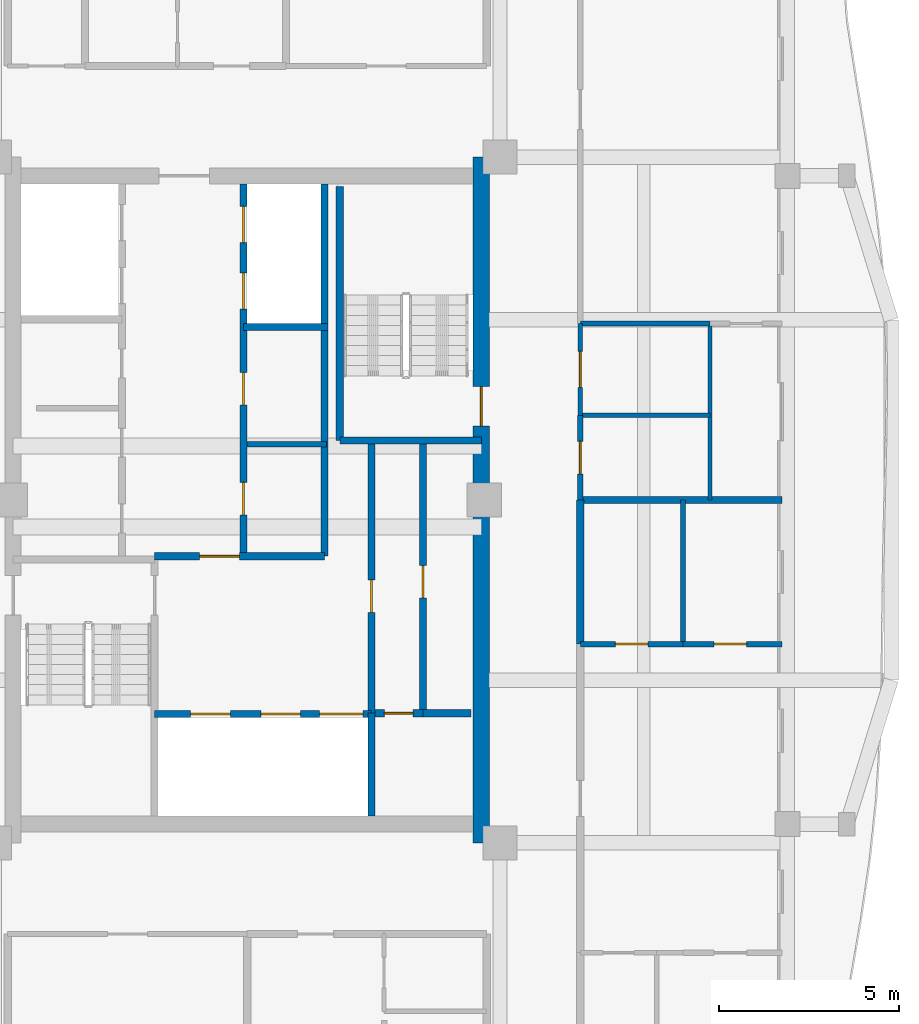
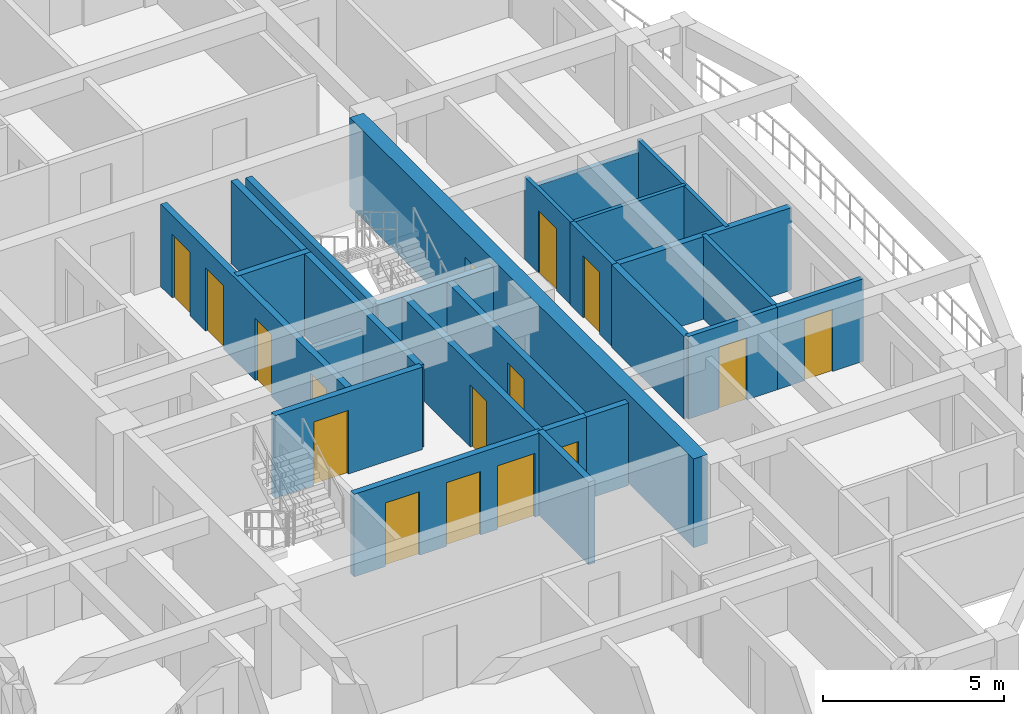
# One storey, part 4 of 12: 25 walls, 16 doors, 16 openings.
"""IFC4 building model written with IfcOpenShell, lengths in metres."""

from ifc_helpers import new_model, si_unit, direction, frame, frame_2d, origin, place, context, subcontext, project, spatial, rectangle, extrude, source, transform, mapped, material, layer, layer_set, type_object, element, fill, save


model = new_model("IFC4")

# Units and contexts
model_context = context("Model", 3, precision=1e-05, world=origin(), true_north=direction((0.0, 1.0)))
body_context = subcontext(model_context, "Body", "Model", "MODEL_VIEW")
ifc_project = project(units=[si_unit("LENGTHUNIT", "METRE"), si_unit("AREAUNIT", "SQUARE_METRE"), si_unit("VOLUMEUNIT", "CUBIC_METRE"), si_unit("PLANEANGLEUNIT", "RADIAN"), si_unit("MASSUNIT", "GRAM", prefix="KILO")], contexts=[model_context])

# Site, building, storey
site_placement = place(None, origin())
site = spatial("IfcSite", under=ifc_project, at=site_placement, CompositionType="ELEMENT")
building_placement = place(site_placement, origin())
building = spatial("IfcBuilding", under=site, at=building_placement, Name="Saelheon Loggia Tower", CompositionType="ELEMENT")
storey_placement = place(building_placement, frame((0.0, 0.0, 243.0)))
storey = spatial("IfcBuildingStorey", under=building, at=storey_placement, Name="L75", CompositionType="ELEMENT", Elevation=243.0)

# Wall, opening, door
ifc_material_1 = material(Name="Concrete C45/55", Category="concrete")
ifc_layer_1 = layer(ifc_material_1, 0.449951171875)
ifc_layer_set_1 = layer_set([ifc_layer_1], Name="Concrete C45/55")
wall_type_1 = type_object("IfcWallType", Name="Wall_CoreShear_450", PredefinedType="SHEAR", material=ifc_layer_set_1)
wall_1_placement = place(storey_placement, frame((44.5, 17.47998046875, 0.0), z_axis=(0.0, 0.0, 1.0), x_axis=(0.0, 1.0, 0.0)))
wall_1 = element("IfcWall", 1, at=wall_1_placement, inside=storey, type_object=wall_type_1, Name="L75 Core Shear Wall East", PredefinedType="SHEAR", context=body_context, shape_type="SweptSolid", body=[
    extrude(rectangle(XDim=19.0400390625, YDim=0.449951171875, at=frame_2d((9.52001953125, 0.0))), origin(), (0.0, 0.0, 1.0), 3.0),
])
opening_1_placement = place(wall_1_placement, frame((12.670166015625, 0.0, 0.0), z_axis=(0.0, 0.0, 1.0), x_axis=(-1.0, 0.0, 0.0)))
opening_1 = element("IfcOpeningElement", 2, at=opening_1_placement, cuts=wall_1, Name="Opening D-FD2", PredefinedType="OPENING", context=body_context, shape_type="SweptSolid", body=[
    extrude(rectangle(XDim=1.10009765625, YDim=2.14990234375, at=frame_2d((0.550048828125, 1.074951171875))), frame((0.0, 0.237060546875, 0.0), z_axis=(0.0, -1.0, 0.0), x_axis=(1.0, 0.0, 0.0)), (0.0, 0.0, 1.0), 0.473876953125),
])
ifc_material_2 = material(Name="Galvanised Steel Fire Door", Category="steel")
door_type_1 = type_object("IfcDoorType", Name="Door_Fire_FD60_1100", OperationType="NOTDEFINED", PredefinedType="DOOR", material=ifc_material_2)
shared_shape_1 = source(origin(), body_context, "Body", "SweptSolid", [
    extrude(rectangle(XDim=1.10009765625, YDim=2.14990234375, at=frame_2d((0.550048828125, 1.074951171875))), frame((0.0, 0.02490234375, 0.0), z_axis=(0.0, -1.0, 0.0), x_axis=(1.0, 0.0, 0.0)), (0.0, 0.0, 1.0), 0.050048828125),
])
door_1_placement = place(opening_1_placement, origin())
door_1 = element("IfcDoor", 3, at=door_1_placement, inside=storey, type_object=door_type_1, Name="L75 Stair ST2 Corridor Door", OperationType="SINGLE_SWING_RIGHT", OverallHeight=2.14990234375, OverallWidth=1.10009765625, PredefinedType="DOOR", context=body_context, shape_type="MappedRepresentation", body=[
    mapped(shared_shape_1, transform((0.0, 0.0, 0.0), scale=1.0)),
])
fill(opening_1, door_1)

# Walls
ifc_material_3 = material(Name="Lightweight Autoclaved Aerated Concrete Block and Acoustic Gypsum", Category="concrete")
ifc_layer_2 = layer(ifc_material_3, 0.14990234375)
ifc_layer_set_2 = layer_set([ifc_layer_2], Name="Lightweight Autoclaved Aerated Concrete Block and Acoustic Gypsum")
wall_type_2 = type_object("IfcWallType", Name="Wall_Part_150", PredefinedType="PARTITIONING", material=ifc_layer_set_2)
wall_2_placement = place(storey_placement, frame((38.0, 28.550048828125, 0.0), z_axis=(0.0, 0.0, 1.0), x_axis=(1.0, 0.0, 0.0)))
element("IfcWall", 4, at=wall_2_placement, inside=storey, type_object=wall_type_2, Name="L75 Freed Core Partition PM", PredefinedType="PARTITIONING", context=body_context, shape_type="SweptSolid", body=[
    extrude(rectangle(XDim=2.199951171875, YDim=0.14990234375, at=frame_2d((1.10009765625, 0.0))), origin(), (0.0, 0.0, 1.0), 2.139892578125),
])
wall_3_placement = place(storey_placement, frame((50.10009765625, 23.0, 0.0), z_axis=(0.0, 0.0, 1.0), x_axis=(0.0, 1.0, 0.0)))
element("IfcWall", 5, at=wall_3_placement, inside=storey, type_object=wall_type_2, Name="L75 E Partition V07", PredefinedType="PARTITIONING", context=body_context, shape_type="SweptSolid", body=[
    extrude(rectangle(XDim=4.0, YDim=0.14990234375, at=frame_2d((2.0, 0.0))), origin(), (0.0, 0.0, 1.0), 2.7900390625),
])

# Wall, opening, door
wall_4_placement = place(storey_placement, frame((47.25, 23.0, 0.0), z_axis=(0.0, 0.0, 1.0), x_axis=(1.0, 0.0, 0.0)))
wall_4 = element("IfcWall", 6, at=wall_4_placement, inside=storey, type_object=wall_type_2, Name="L75 E Partition U11", PredefinedType="PARTITIONING", context=body_context, shape_type="SweptSolid", body=[
    extrude(rectangle(XDim=2.85009765625, YDim=0.14990234375, at=frame_2d((1.425048828125, 0.0))), origin(), (0.0, 0.0, 1.0), 2.7900390625),
])
opening_2_placement = place(wall_4_placement, frame((0.97509765625, 0.0, 0.0)))
opening_2 = element("IfcOpeningElement", 7, at=opening_2_placement, cuts=wall_4, Name="Opening D-IN2", PredefinedType="OPENING", context=body_context, shape_type="SweptSolid", body=[
    extrude(rectangle(XDim=0.89990234375, YDim=2.10009765625, at=frame_2d((0.449951171875, 1.050048828125))), frame((0.0, 0.0869140625, 0.0), z_axis=(0.0, -1.0, 0.0), x_axis=(1.0, 0.0, 0.0)), (0.0, 0.0, 1.0), 0.173828125),
])
ifc_material_4 = material(Name="Engineered Oak Flush Door", Category="timber")
door_type_2 = type_object("IfcDoorType", Name="Door_Int_900", OperationType="NOTDEFINED", PredefinedType="DOOR", material=ifc_material_4)
shared_shape_2 = source(origin(), body_context, "Body", "SweptSolid", [
    extrude(rectangle(XDim=0.89990234375, YDim=2.10009765625, at=frame_2d((0.449951171875, 1.050048828125))), frame((0.0, 0.02490234375, 0.0), z_axis=(0.0, -1.0, 0.0), x_axis=(1.0, 0.0, 0.0)), (0.0, 0.0, 1.0), 0.050048828125),
])
door_2_placement = place(opening_2_placement, origin())
door_2 = element("IfcDoor", 8, at=door_2_placement, inside=storey, type_object=door_type_2, Name="Unit U05 Private Study Door", OperationType="SINGLE_SWING_LEFT", OverallHeight=2.10009765625, OverallWidth=0.89990234375, PredefinedType="DOOR", context=body_context, shape_type="MappedRepresentation", body=[
    mapped(shared_shape_2, transform((0.0, 0.0, 0.0), scale=1.0)),
])
fill(opening_2, door_2)

wall_5_placement = place(storey_placement, frame((50.10009765625, 23.0, 0.0), z_axis=(0.0, 0.0, 1.0), x_axis=(1.0, 0.0, 0.0)))
wall_5 = element("IfcWall", 9, at=wall_5_placement, inside=storey, type_object=wall_type_2, Name="L75 E Partition U12", PredefinedType="PARTITIONING", context=body_context, shape_type="SweptSolid", body=[
    extrude(rectangle(XDim=2.75, YDim=0.14990234375, at=frame_2d((1.375, 0.0))), origin(), (0.0, 0.0, 1.0), 2.7900390625),
])
opening_3_placement = place(wall_5_placement, frame((0.867919921875, 0.0, 0.0)))
opening_3 = element("IfcOpeningElement", 10, at=opening_3_placement, cuts=wall_5, Name="Opening D-IN2", PredefinedType="OPENING", context=body_context, shape_type="SweptSolid", body=[
    extrude(rectangle(XDim=0.89990234375, YDim=2.10009765625, at=frame_2d((0.449951171875, 1.050048828125))), frame((0.0, 0.0869140625, 0.0), z_axis=(0.0, -1.0, 0.0), x_axis=(1.0, 0.0, 0.0)), (0.0, 0.0, 1.0), 0.173828125),
])
door_3_placement = place(opening_3_placement, origin())
door_3 = element("IfcDoor", 11, at=door_3_placement, inside=storey, type_object=door_type_2, Name="Unit U05 Bedroom 1 Door", OperationType="SINGLE_SWING_RIGHT", OverallHeight=2.10009765625, OverallWidth=0.89990234375, PredefinedType="DOOR", context=body_context, shape_type="MappedRepresentation", body=[
    mapped(shared_shape_2, transform((0.0, 0.0, 0.0), scale=1.0)),
])
fill(opening_3, door_3)

# Wall
wall_6_placement = place(storey_placement, frame((47.25, 31.89990234375, 0.0), z_axis=(0.0, 0.0, 1.0), x_axis=(1.0, 0.0, 0.0)))
element("IfcWall", 12, at=wall_6_placement, inside=storey, type_object=wall_type_2, Name="L75 E Partition U15", PredefinedType="PARTITIONING", context=body_context, shape_type="SweptSolid", body=[
    extrude(rectangle(XDim=3.60009765625, YDim=0.14990234375, at=frame_2d((1.800048828125, 0.0))), origin(), (0.0, 0.0, 1.0), 2.389892578125),
])

# Wall, opening, door
wall_7_placement = place(storey_placement, frame((47.25, 27.0, 0.0), z_axis=(0.0, 0.0, 1.0), x_axis=(0.0, 1.0, 0.0)))
wall_7 = element("IfcWall", 13, at=wall_7_placement, inside=storey, type_object=wall_type_2, Name="L75 E Partition V18", PredefinedType="PARTITIONING", context=body_context, shape_type="SweptSolid", body=[
    extrude(rectangle(XDim=2.35009765625, YDim=0.14990234375, at=frame_2d((1.175048828125, 0.0))), origin(), (0.0, 0.0, 1.0), 2.7900390625),
])
opening_4_placement = place(wall_7_placement, frame((0.72509765625, 0.0, 0.0)))
opening_4 = element("IfcOpeningElement", 14, at=opening_4_placement, cuts=wall_7, Name="Opening D-IN2", PredefinedType="OPENING", context=body_context, shape_type="SweptSolid", body=[
    extrude(rectangle(XDim=0.89990234375, YDim=2.10009765625, at=frame_2d((0.449951171875, 1.050048828125))), frame((0.0, 0.0869140625, 0.0), z_axis=(0.0, -1.0, 0.0), x_axis=(1.0, 0.0, 0.0)), (0.0, 0.0, 1.0), 0.173828125),
])
door_4_placement = place(opening_4_placement, origin())
door_4 = element("IfcDoor", 15, at=door_4_placement, inside=storey, type_object=door_type_2, Name="L75 Community Pantry Door", OperationType="SINGLE_SWING_RIGHT", OverallHeight=2.10009765625, OverallWidth=0.89990234375, PredefinedType="DOOR", context=body_context, shape_type="MappedRepresentation", body=[
    mapped(shared_shape_2, transform((0.0, 0.0, 0.0), scale=1.0)),
])
fill(opening_4, door_4)

# Walls
ifc_material_5 = material(Name="Double Acoustic Stud and Fireboard Partition", Category="gypsum")
ifc_layer_3 = layer(ifc_material_5, 0.199951171875)
ifc_layer_set_3 = layer_set([ifc_layer_3], Name="Double Acoustic Stud and Fireboard Partition")
wall_type_3 = type_object("IfcWallType", Name="Wall_Party_200", PredefinedType="PARTITIONING", material=ifc_layer_set_3)
wall_8_placement = place(storey_placement, frame((47.25, 23.0, 0.0), z_axis=(0.0, 0.0, 1.0), x_axis=(0.0, 1.0, 0.0)))
element("IfcWall", 16, at=wall_8_placement, inside=storey, type_object=wall_type_3, Name="L75 E Partition V05", PredefinedType="PARTITIONING", context=body_context, shape_type="SweptSolid", body=[
    extrude(rectangle(XDim=4.0, YDim=0.199951171875, at=frame_2d((2.0, 0.0))), origin(), (0.0, 0.0, 1.0), 2.7900390625),
])
wall_9_placement = place(storey_placement, frame((47.25, 27.0, 0.0), z_axis=(0.0, 0.0, 1.0), x_axis=(1.0, 0.0, 0.0)))
element("IfcWall", 17, at=wall_9_placement, inside=storey, type_object=wall_type_3, Name="L75 E Partition U13", PredefinedType="PARTITIONING", context=body_context, shape_type="SweptSolid", body=[
    extrude(rectangle(XDim=5.60009765625, YDim=0.199951171875, at=frame_2d((2.800048828125, 0.0))), origin(), (0.0, 0.0, 1.0), 2.7900390625),
])

# Wall, opening, door
ifc_material_6 = material(Name="Concrete C40/50", Category="concrete")
ifc_layer_4 = layer(ifc_material_6, 0.199951171875)
ifc_layer_set_4 = layer_set([ifc_layer_4], Name="Concrete C40/50")
wall_type_4 = type_object("IfcWallType", Name="Wall_Shaft_200", PredefinedType="PARTITIONING", material=ifc_layer_set_4)
wall_10_placement = place(storey_placement, frame((41.550048828125, 21.080078125, 0.0), z_axis=(0.0, 0.0, 1.0), x_axis=(1.0, 0.0, 0.0)))
wall_10 = element("IfcWall", 18, at=wall_10_placement, inside=storey, type_object=wall_type_4, Name="CW-BOH-L75-HS", PredefinedType="PARTITIONING", context=body_context, shape_type="SweptSolid", body=[
    extrude(rectangle(XDim=1.329833984375, YDim=0.199951171875, at=frame_2d((0.6650390625, 0.0))), origin(), (0.0, 0.0, 1.0), 2.7900390625),
])
opening_5_placement = place(wall_10_placement, frame((0.260009765625, 0.0, 0.0)))
opening_5 = element("IfcOpeningElement", 19, at=opening_5_placement, cuts=wall_10, Name="Opening D-ST1", PredefinedType="OPENING", context=body_context, shape_type="SweptSolid", body=[
    extrude(rectangle(XDim=0.800048828125, YDim=2.050048828125, at=frame_2d((0.39990234375, 1.02490234375))), frame((0.0, 0.112060546875, 0.0), z_axis=(0.0, -1.0, 0.0), x_axis=(1.0, 0.0, 0.0)), (0.0, 0.0, 1.0), 0.223876953125),
])
ifc_material_7 = material(Name="Powder-Coated Steel Store Door", Category="steel")
door_type_3 = type_object("IfcDoorType", Name="Door_Store_800", OperationType="NOTDEFINED", PredefinedType="DOOR", material=ifc_material_7)
shared_shape_3 = source(origin(), body_context, "Body", "SweptSolid", [
    extrude(rectangle(XDim=0.800048828125, YDim=2.050048828125, at=frame_2d((0.39990234375, 1.02490234375))), frame((0.0, 0.02490234375, 0.0), z_axis=(0.0, -1.0, 0.0), x_axis=(1.0, 0.0, 0.0)), (0.0, 0.0, 1.0), 0.050048828125),
])
door_5_placement = place(opening_5_placement, origin())
door_5 = element("IfcDoor", 20, at=door_5_placement, inside=storey, type_object=door_type_3, Name="L75 Electrical Riser Door", OperationType="SINGLE_SWING_LEFT", OverallHeight=2.050048828125, OverallWidth=0.800048828125, PredefinedType="DOOR", context=body_context, shape_type="MappedRepresentation", body=[
    mapped(shared_shape_3, transform((0.0, 0.0, 0.0), scale=1.0)),
])
fill(opening_5, door_5)

# Wall
wall_11_placement = place(storey_placement, frame((42.8798828125, 21.080078125, 0.0), z_axis=(0.0, 0.0, 1.0), x_axis=(1.0, 0.0, 0.0)))
element("IfcWall", 21, at=wall_11_placement, inside=storey, type_object=wall_type_4, Name="CW-BOH-L75-HS2", PredefinedType="PARTITIONING", context=body_context, shape_type="SweptSolid", body=[
    extrude(rectangle(XDim=1.340087890625, YDim=0.199951171875, at=frame_2d((0.669921875, 0.0))), origin(), (0.0, 0.0, 1.0), 2.7900390625),
])

# Wall, opening, door
wall_12_placement = place(storey_placement, frame((42.8798828125, 21.080078125, 0.0), z_axis=(0.0, 0.0, 1.0), x_axis=(0.0, 1.0, 0.0)))
wall_12 = element("IfcWall", 22, at=wall_12_placement, inside=storey, type_object=wall_type_4, Name="CW-BOH-L75-VS", PredefinedType="PARTITIONING", context=body_context, shape_type="SweptSolid", body=[
    extrude(rectangle(XDim=7.469970703125, YDim=0.199951171875, at=frame_2d((3.73486328125, 0.0))), origin(), (0.0, 0.0, 1.0), 2.7900390625),
])
opening_6_placement = place(wall_12_placement, frame((3.199951171875, 0.0, 0.0)))
opening_6 = element("IfcOpeningElement", 23, at=opening_6_placement, cuts=wall_12, Name="Opening D-RS1", PredefinedType="OPENING", context=body_context, shape_type="SweptSolid", body=[
    extrude(rectangle(XDim=0.89990234375, YDim=2.10009765625, at=frame_2d((0.449951171875, 1.050048828125))), frame((0.0, 0.112060546875, 0.0), z_axis=(0.0, -1.0, 0.0), x_axis=(1.0, 0.0, 0.0)), (0.0, 0.0, 1.0), 0.223876953125),
])
ifc_material_8 = material(Name="Galvanised Steel Riser Access Door", Category="steel")
door_type_4 = type_object("IfcDoorType", Name="Door_Riser_FD60", OperationType="NOTDEFINED", PredefinedType="DOOR", material=ifc_material_8)
door_6_placement = place(opening_6_placement, origin())
door_6 = element("IfcDoor", 24, at=door_6_placement, inside=storey, type_object=door_type_4, Name="L75 Linen Store Door", OperationType="SINGLE_SWING_RIGHT", OverallHeight=2.10009765625, OverallWidth=0.89990234375, PredefinedType="DOOR", context=body_context, shape_type="MappedRepresentation", body=[
    mapped(shared_shape_2, transform((0.0, 0.0, 0.0), scale=1.0)),
])
fill(opening_6, door_6)

# Wall
wall_13_placement = place(storey_placement, frame((41.449951171875, 18.219970703125, 0.0), z_axis=(0.0, 0.0, 1.0), x_axis=(0.0, 1.0, 0.0)))
element("IfcWall", 25, at=wall_13_placement, inside=storey, type_object=wall_type_4, Name="CW-INT-L75-BOH-W0", PredefinedType="PARTITIONING", context=body_context, shape_type="SweptSolid", body=[
    extrude(rectangle(XDim=2.860107421875, YDim=0.199951171875, at=frame_2d((1.43017578125, 0.0))), origin(), (0.0, 0.0, 1.0), 2.7900390625),
])

# Wall, opening, door
wall_14_placement = place(storey_placement, frame((41.449951171875, 21.080078125, 0.0), z_axis=(0.0, 0.0, 1.0), x_axis=(0.0, 1.0, 0.0)))
wall_14 = element("IfcWall", 26, at=wall_14_placement, inside=storey, type_object=wall_type_4, Name="CW-INT-L75-BOH-W1", PredefinedType="PARTITIONING", context=body_context, shape_type="SweptSolid", body=[
    extrude(rectangle(XDim=7.52001953125, YDim=0.199951171875, at=frame_2d((3.760009765625, 0.0))), origin(), (0.0, 0.0, 1.0), 2.7900390625),
])
opening_7_placement = place(wall_14_placement, frame((2.800048828125, 0.0, 0.0)))
opening_7 = element("IfcOpeningElement", 27, at=opening_7_placement, cuts=wall_14, Name="Opening D-RS1", PredefinedType="OPENING", context=body_context, shape_type="SweptSolid", body=[
    extrude(rectangle(XDim=0.89990234375, YDim=2.10009765625, at=frame_2d((0.449951171875, 1.050048828125))), frame((0.0, 0.112060546875, 0.0), z_axis=(0.0, -1.0, 0.0), x_axis=(1.0, 0.0, 0.0)), (0.0, 0.0, 1.0), 0.223876953125),
])
door_7_placement = place(opening_7_placement, origin())
door_7 = element("IfcDoor", 28, at=door_7_placement, inside=storey, type_object=door_type_4, Name="L75 Service Store Door", OperationType="SINGLE_SWING_LEFT", OverallHeight=2.10009765625, OverallWidth=0.89990234375, PredefinedType="DOOR", context=body_context, shape_type="MappedRepresentation", body=[
    mapped(shared_shape_2, transform((0.0, 0.0, 0.0), scale=1.0)),
])
fill(opening_7, door_7)

# Walls
wall_15_placement = place(storey_placement, frame((40.14990234375, 25.43994140625, 0.0), z_axis=(0.0, 0.0, 1.0), x_axis=(0.0, 1.0, 0.0)))
element("IfcWall", 29, at=wall_15_placement, inside=storey, type_object=wall_type_4, Name="L75 Core Service Passage West Wall", PredefinedType="PARTITIONING", context=body_context, shape_type="SweptSolid", body=[
    extrude(rectangle(XDim=6.360107421875, YDim=0.199951171875, at=frame_2d((3.18017578125, 0.0))), origin(), (0.0, 0.0, 1.0), 2.7900390625),
])
wall_16_placement = place(storey_placement, frame((40.14990234375, 31.800048828125, 0.0), z_axis=(0.0, 0.0, 1.0), x_axis=(0.0, 1.0, 0.0)))
element("IfcWall", 30, at=wall_16_placement, inside=storey, type_object=wall_type_4, Name="L75 East High-Rise Hoistway East Wall", PredefinedType="PARTITIONING", context=body_context, shape_type="SweptSolid", body=[
    extrude(rectangle(XDim=3.97998046875, YDim=0.199951171875, at=frame_2d((1.989990234375, 0.0))), origin(), (0.0, 0.0, 1.0), 2.7900390625),
])

# Wall, openings, doors
wall_17_placement = place(storey_placement, frame((35.429931640625, 21.06005859375, 0.0), z_axis=(0.0, 0.0, 1.0), x_axis=(1.0, 0.0, 0.0)))
wall_17 = element("IfcWall", 31, at=wall_17_placement, inside=storey, type_object=wall_type_4, Name="L75 Firefighting Lift Shaft Front Wall", PredefinedType="PARTITIONING", context=body_context, shape_type="SweptSolid", body=[
    extrude(rectangle(XDim=6.02001953125, YDim=0.199951171875, at=frame_2d((3.010009765625, 0.0))), origin(), (0.0, 0.0, 1.0), 2.7900390625),
])
opening_8_placement = place(wall_17_placement, frame((1.0, 0.0, 0.0)))
opening_8 = element("IfcOpeningElement", 32, at=opening_8_placement, cuts=wall_17, Name="Opening LD2", PredefinedType="OPENING", context=body_context, shape_type="SweptSolid", body=[
    extrude(rectangle(XDim=1.10009765625, YDim=2.14990234375, at=frame_2d((0.550048828125, 1.074951171875))), frame((0.0, 0.112060546875, 0.0), z_axis=(0.0, -1.0, 0.0), x_axis=(1.0, 0.0, 0.0)), (0.0, 0.0, 1.0), 0.223876953125),
])
opening_9_placement = place(wall_17_placement, frame((2.949951171875, 0.0, 0.0)))
opening_9 = element("IfcOpeningElement", 33, at=opening_9_placement, cuts=wall_17, Name="Opening LD2", PredefinedType="OPENING", context=body_context, shape_type="SweptSolid", body=[
    extrude(rectangle(XDim=1.10009765625, YDim=2.14990234375, at=frame_2d((0.550048828125, 1.074951171875))), frame((0.0, 0.112060546875, 0.0), z_axis=(0.0, -1.0, 0.0), x_axis=(1.0, 0.0, 0.0)), (0.0, 0.0, 1.0), 0.223876953125),
])
opening_10_placement = place(wall_17_placement, frame((4.580078125, 0.0, 0.0)))
opening_10 = element("IfcOpeningElement", 34, at=opening_10_placement, cuts=wall_17, Name="Opening LD3", PredefinedType="OPENING", context=body_context, shape_type="SweptSolid", body=[
    extrude(rectangle(XDim=1.199951171875, YDim=2.14990234375, at=frame_2d((0.60009765625, 1.074951171875))), frame((0.0, 0.112060546875, 0.0), z_axis=(0.0, -1.0, 0.0), x_axis=(1.0, 0.0, 0.0)), (0.0, 0.0, 1.0), 0.223876953125),
])
ifc_material_9 = material(Name="Firefighting Stainless Steel 316 Landing Door", Category="steel")
door_type_5 = type_object("IfcDoorType", Name="Door_Lift_LD2", OperationType="DOUBLE_DOOR_SLIDING", PredefinedType="DOOR", material=ifc_material_9)
door_8_placement = place(opening_8_placement, origin())
door_8 = element("IfcDoor", 35, at=door_8_placement, inside=storey, type_object=door_type_5, Name="L75 FF1 Landing Door", OperationType="DOUBLE_DOOR_SLIDING", OverallHeight=2.14990234375, OverallWidth=1.10009765625, PredefinedType="DOOR", context=body_context, shape_type="MappedRepresentation", body=[
    mapped(shared_shape_1, transform((0.0, 0.0, 0.0), scale=1.0)),
])
fill(opening_8, door_8)
door_9_placement = place(opening_9_placement, origin())
door_9 = element("IfcDoor", 36, at=door_9_placement, inside=storey, type_object=door_type_5, Name="L75 FF2 Landing Door", OperationType="DOUBLE_DOOR_SLIDING", OverallHeight=2.14990234375, OverallWidth=1.10009765625, PredefinedType="DOOR", context=body_context, shape_type="MappedRepresentation", body=[
    mapped(shared_shape_1, transform((0.0, 0.0, 0.0), scale=1.0)),
])
fill(opening_9, door_9)
ifc_material_10 = material(Name="Stretcher Lift Stainless Steel 304 Landing Door", Category="steel")
door_type_6 = type_object("IfcDoorType", Name="Door_Lift_LD3", OperationType="DOUBLE_DOOR_SLIDING", PredefinedType="DOOR", material=ifc_material_10)
shared_shape_4 = source(origin(), body_context, "Body", "SweptSolid", [
    extrude(rectangle(XDim=1.199951171875, YDim=2.14990234375, at=frame_2d((0.60009765625, 1.074951171875))), frame((0.0, 0.02490234375, 0.0), z_axis=(0.0, -1.0, 0.0), x_axis=(1.0, 0.0, 0.0)), (0.0, 0.0, 1.0), 0.050048828125),
])
door_10_placement = place(opening_10_placement, origin())
door_10 = element("IfcDoor", 37, at=door_10_placement, inside=storey, type_object=door_type_6, Name="L75 SV1 Landing Door", OperationType="DOUBLE_DOOR_SLIDING", OverallHeight=2.14990234375, OverallWidth=1.199951171875, PredefinedType="DOOR", context=body_context, shape_type="MappedRepresentation", body=[
    mapped(shared_shape_4, transform((0.0, 0.0, 0.0), scale=1.0)),
])
fill(opening_10, door_10)

# Wall, opening, door
wall_18_placement = place(storey_placement, frame((35.429931640625, 25.43994140625, 0.0), z_axis=(0.0, 0.0, 1.0), x_axis=(1.0, 0.0, 0.0)))
wall_18 = element("IfcWall", 38, at=wall_18_placement, inside=storey, type_object=wall_type_4, Name="L75 Firefighting Lobby Compartment Wall", PredefinedType="PARTITIONING", context=body_context, shape_type="SweptSolid", body=[
    extrude(rectangle(XDim=4.719970703125, YDim=0.199951171875, at=frame_2d((2.35986328125, 0.0))), origin(), (0.0, 0.0, 1.0), 2.7900390625),
])
opening_11_placement = place(wall_18_placement, frame((1.25, 0.0, 0.0)))
opening_11 = element("IfcOpeningElement", 39, at=opening_11_placement, cuts=wall_18, Name="Opening D-FD2", PredefinedType="OPENING", context=body_context, shape_type="SweptSolid", body=[
    extrude(rectangle(XDim=1.10009765625, YDim=2.14990234375, at=frame_2d((0.550048828125, 1.074951171875))), frame((0.0, 0.112060546875, 0.0), z_axis=(0.0, -1.0, 0.0), x_axis=(1.0, 0.0, 0.0)), (0.0, 0.0, 1.0), 0.223876953125),
])
door_11_placement = place(opening_11_placement, origin())
door_11 = element("IfcDoor", 40, at=door_11_placement, inside=storey, type_object=door_type_1, Name="L75 Firefighting Lobby Door", OperationType="SINGLE_SWING_RIGHT", OverallHeight=2.14990234375, OverallWidth=1.10009765625, PredefinedType="DOOR", context=body_context, shape_type="MappedRepresentation", body=[
    mapped(shared_shape_1, transform((0.0, 0.0, 0.0), scale=1.0)),
])
fill(opening_11, door_11)

# Wall, openings, doors
wall_19_placement = place(storey_placement, frame((37.89990234375, 25.43994140625, 0.0), z_axis=(0.0, 0.0, 1.0), x_axis=(0.0, 1.0, 0.0)))
wall_19 = element("IfcWall", 41, at=wall_19_placement, inside=storey, type_object=wall_type_4, Name="L75 East Passenger Lift Bank Wall", PredefinedType="PARTITIONING", context=body_context, shape_type="SweptSolid", body=[
    extrude(rectangle(XDim=10.340087890625, YDim=0.199951171875, at=frame_2d((5.169921875, 0.0))), origin(), (0.0, 0.0, 1.0), 2.7900390625),
])
opening_12_placement = place(wall_19_placement, frame((1.14990234375, 0.0, 0.0)))
opening_12 = element("IfcOpeningElement", 42, at=opening_12_placement, cuts=wall_19, Name="Opening D-RS1", PredefinedType="OPENING", context=body_context, shape_type="SweptSolid", body=[
    extrude(rectangle(XDim=0.89990234375, YDim=2.10009765625, at=frame_2d((0.449951171875, 1.050048828125))), frame((0.0, 0.112060546875, 0.0), z_axis=(0.0, -1.0, 0.0), x_axis=(1.0, 0.0, 0.0)), (0.0, 0.0, 1.0), 0.223876953125),
])
opening_13_placement = place(wall_19_placement, frame((4.199951171875, 0.0, 0.0)))
opening_13 = element("IfcOpeningElement", 43, at=opening_13_placement, cuts=wall_19, Name="Opening D-RS1", PredefinedType="OPENING", context=body_context, shape_type="SweptSolid", body=[
    extrude(rectangle(XDim=0.89990234375, YDim=2.10009765625, at=frame_2d((0.449951171875, 1.050048828125))), frame((0.0, 0.112060546875, 0.0), z_axis=(0.0, -1.0, 0.0), x_axis=(1.0, 0.0, 0.0)), (0.0, 0.0, 1.0), 0.223876953125),
])
opening_14_placement = place(wall_19_placement, frame((6.860107421875, 0.0, 0.0)))
opening_14 = element("IfcOpeningElement", 44, at=opening_14_placement, cuts=wall_19, Name="Opening LD1", PredefinedType="OPENING", context=body_context, shape_type="SweptSolid", body=[
    extrude(rectangle(XDim=1.0, YDim=2.14990234375, at=frame_2d((0.5, 1.074951171875))), frame((0.0, 0.112060546875, 0.0), z_axis=(0.0, -1.0, 0.0), x_axis=(1.0, 0.0, 0.0)), (0.0, 0.0, 1.0), 0.223876953125),
])
opening_15_placement = place(wall_19_placement, frame((8.7099609375, 0.0, 0.0)))
opening_15 = element("IfcOpeningElement", 45, at=opening_15_placement, cuts=wall_19, Name="Opening LD1", PredefinedType="OPENING", context=body_context, shape_type="SweptSolid", body=[
    extrude(rectangle(XDim=1.0, YDim=2.14990234375, at=frame_2d((0.5, 1.074951171875))), frame((0.0, 0.112060546875, 0.0), z_axis=(0.0, -1.0, 0.0), x_axis=(1.0, 0.0, 0.0)), (0.0, 0.0, 1.0), 0.223876953125),
])
door_12_placement = place(opening_12_placement, origin())
door_12 = element("IfcDoor", 46, at=door_12_placement, inside=storey, type_object=door_type_4, Name="L75 Upper Housekeeping Door", OperationType="SINGLE_SWING_LEFT", OverallHeight=2.10009765625, OverallWidth=0.89990234375, PredefinedType="DOOR", context=body_context, shape_type="MappedRepresentation", body=[
    mapped(shared_shape_2, transform((0.0, 0.0, 0.0), scale=1.0)),
])
fill(opening_12, door_12)
door_13_placement = place(opening_13_placement, origin())
door_13 = element("IfcDoor", 47, at=door_13_placement, inside=storey, type_object=door_type_4, Name="L75 Upper Pantry Door", OperationType="SINGLE_SWING_RIGHT", OverallHeight=2.10009765625, OverallWidth=0.89990234375, PredefinedType="DOOR", context=body_context, shape_type="MappedRepresentation", body=[
    mapped(shared_shape_2, transform((0.0, 0.0, 0.0), scale=1.0)),
])
fill(opening_13, door_13)
ifc_material_11 = material(Name="Brushed Stainless Steel 304 Landing Door", Category="steel")
door_type_7 = type_object("IfcDoorType", Name="Door_Lift_LD1", OperationType="DOUBLE_DOOR_SLIDING", PredefinedType="DOOR", material=ifc_material_11)
shared_shape_5 = source(origin(), body_context, "Body", "SweptSolid", [
    extrude(rectangle(XDim=1.0, YDim=2.14990234375, at=frame_2d((0.5, 1.074951171875))), frame((0.0, 0.02490234375, 0.0), z_axis=(0.0, -1.0, 0.0), x_axis=(1.0, 0.0, 0.0)), (0.0, 0.0, 1.0), 0.050048828125),
])
door_14_placement = place(opening_14_placement, origin())
door_14 = element("IfcDoor", 48, at=door_14_placement, inside=storey, type_object=door_type_7, Name="L75 PH3 Landing Door", OperationType="DOUBLE_DOOR_SLIDING", OverallHeight=2.14990234375, OverallWidth=1.0, PredefinedType="DOOR", context=body_context, shape_type="MappedRepresentation", body=[
    mapped(shared_shape_5, transform((0.0, 0.0, 0.0), scale=1.0)),
])
fill(opening_14, door_14)
door_15_placement = place(opening_15_placement, origin())
door_15 = element("IfcDoor", 49, at=door_15_placement, inside=storey, type_object=door_type_7, Name="L75 PH4 Landing Door", OperationType="DOUBLE_DOOR_SLIDING", OverallHeight=2.14990234375, OverallWidth=1.0, PredefinedType="DOOR", context=body_context, shape_type="MappedRepresentation", body=[
    mapped(shared_shape_5, transform((0.0, 0.0, 0.0), scale=1.0)),
])
fill(opening_15, door_15)

# Walls
wall_20_placement = place(storey_placement, frame((37.89990234375, 31.800048828125, 0.0), z_axis=(0.0, 0.0, 1.0), x_axis=(1.0, 0.0, 0.0)))
element("IfcWall", 50, at=wall_20_placement, inside=storey, type_object=wall_type_4, Name="L75 East High-Rise Shaft Divider", PredefinedType="PARTITIONING", context=body_context, shape_type="SweptSolid", body=[
    extrude(rectangle(XDim=2.35009765625, YDim=0.199951171875, at=frame_2d((1.175048828125, 0.0))), origin(), (0.0, 0.0, 1.0), 2.7900390625),
])
ifc_layer_5 = layer(ifc_material_1, 0.199951171875)
ifc_layer_set_5 = layer_set([ifc_layer_5], Name="Concrete C45/55")
wall_type_5 = type_object("IfcWallType", Name="Wall_StairShaft_RC200", PredefinedType="SOLIDWALL", material=ifc_layer_set_5)
wall_21_placement = place(storey_placement, frame((40.570068359375, 28.64990234375, 0.0), z_axis=(0.0, 0.0, 1.0), x_axis=(0.0, 1.0, 0.0)))
element("IfcWall", 51, at=wall_21_placement, inside=storey, type_object=wall_type_5, Name="L75 Stair ST2 Shaft Wall", PredefinedType="SOLIDWALL", context=body_context, shape_type="SweptSolid", body=[
    extrude(rectangle(XDim=7.050048828125, YDim=0.199951171875, at=frame_2d((3.52490234375, 0.0))), origin(), (0.0, 0.0, 1.0), 2.7900390625),
])
wall_22_placement = place(storey_placement, frame((40.570068359375, 28.64990234375, 0.0), z_axis=(0.0, 0.0, 1.0), x_axis=(1.0, 0.0, 0.0)))
element("IfcWall", 52, at=wall_22_placement, inside=storey, type_object=wall_type_5, Name="L75 Stair ST2 South Wall", PredefinedType="SOLIDWALL", context=body_context, shape_type="SweptSolid", body=[
    extrude(rectangle(XDim=3.929931640625, YDim=0.199951171875, at=frame_2d((1.96484375, 0.0))), origin(), (0.0, 0.0, 1.0), 2.7900390625),
])
ifc_material_12 = material(Name="Moisture-Resistant Cement Board Partition", Category="gypsum")
ifc_layer_6 = layer(ifc_material_12, 0.1201171875)
ifc_layer_set_6 = layer_set([ifc_layer_6], Name="Moisture-Resistant Cement Board Partition")
wall_type_6 = type_object("IfcWallType", Name="Wall_WetPart_120", PredefinedType="PARTITIONING", material=ifc_layer_set_6)
wall_23_placement = place(storey_placement, frame((47.25, 29.35009765625, 0.0), z_axis=(0.0, 0.0, 1.0), x_axis=(1.0, 0.0, 0.0)))
element("IfcWall", 53, at=wall_23_placement, inside=storey, type_object=wall_type_6, Name="L75 E Partition U14", PredefinedType="PARTITIONING", context=body_context, shape_type="SweptSolid", body=[
    extrude(rectangle(XDim=3.60009765625, YDim=0.1201171875, at=frame_2d((1.800048828125, 0.0))), origin(), (0.0, 0.0, 1.0), 2.7900390625),
])
wall_24_placement = place(storey_placement, frame((50.85009765625, 27.0, 0.0), z_axis=(0.0, 0.0, 1.0), x_axis=(0.0, 1.0, 0.0)))
element("IfcWall", 54, at=wall_24_placement, inside=storey, type_object=wall_type_6, Name="L75 E Partition V17", PredefinedType="PARTITIONING", context=body_context, shape_type="SweptSolid", body=[
    extrude(rectangle(XDim=4.89990234375, YDim=0.1201171875, at=frame_2d((2.449951171875, 0.0))), origin(), (0.0, 0.0, 1.0), 2.7900390625),
])

# Wall, opening, door
wall_25_placement = place(storey_placement, frame((47.25, 29.35009765625, 0.0), z_axis=(0.0, 0.0, 1.0), x_axis=(0.0, 1.0, 0.0)))
wall_25 = element("IfcWall", 55, at=wall_25_placement, inside=storey, type_object=wall_type_6, Name="L75 E Partition V19", PredefinedType="PARTITIONING", context=body_context, shape_type="SweptSolid", body=[
    extrude(rectangle(XDim=2.5498046875, YDim=0.1201171875, at=frame_2d((1.27490234375, 0.0))), origin(), (0.0, 0.0, 1.0), 2.7900390625),
])
opening_16_placement = place(wall_25_placement, frame((0.77490234375, 0.0, 0.0)))
opening_16 = element("IfcOpeningElement", 56, at=opening_16_placement, cuts=wall_25, Name="Opening D-AC1", PredefinedType="OPENING", context=body_context, shape_type="SweptSolid", body=[
    extrude(rectangle(XDim=1.0, YDim=2.10009765625, at=frame_2d((0.5, 1.050048828125))), frame((0.0, 0.072021484375, 0.0), z_axis=(0.0, -1.0, 0.0), x_axis=(1.0, 0.0, 0.0)), (0.0, 0.0, 1.0), 0.14404296875),
])
ifc_material_13 = material(Name="Accessible Laminate Flush Door", Category="timber")
door_type_8 = type_object("IfcDoorType", Name="Door_Acc_1000", OperationType="NOTDEFINED", PredefinedType="DOOR", material=ifc_material_13)
shared_shape_6 = source(origin(), body_context, "Body", "SweptSolid", [
    extrude(rectangle(XDim=1.0, YDim=2.10009765625, at=frame_2d((0.5, 1.050048828125))), frame((0.0, 0.02490234375, 0.0), z_axis=(0.0, -1.0, 0.0), x_axis=(1.0, 0.0, 0.0)), (0.0, 0.0, 1.0), 0.050048828125),
])
door_16_placement = place(opening_16_placement, origin())
door_16 = element("IfcDoor", 57, at=door_16_placement, inside=storey, type_object=door_type_8, Name="L75 Common Washroom Door", OperationType="SINGLE_SWING_LEFT", OverallHeight=2.10009765625, OverallWidth=1.0, PredefinedType="DOOR", context=body_context, shape_type="MappedRepresentation", body=[
    mapped(shared_shape_6, transform((0.0, 0.0, 0.0), scale=1.0)),
])
fill(opening_16, door_16)

save(model, "model.ifc")
